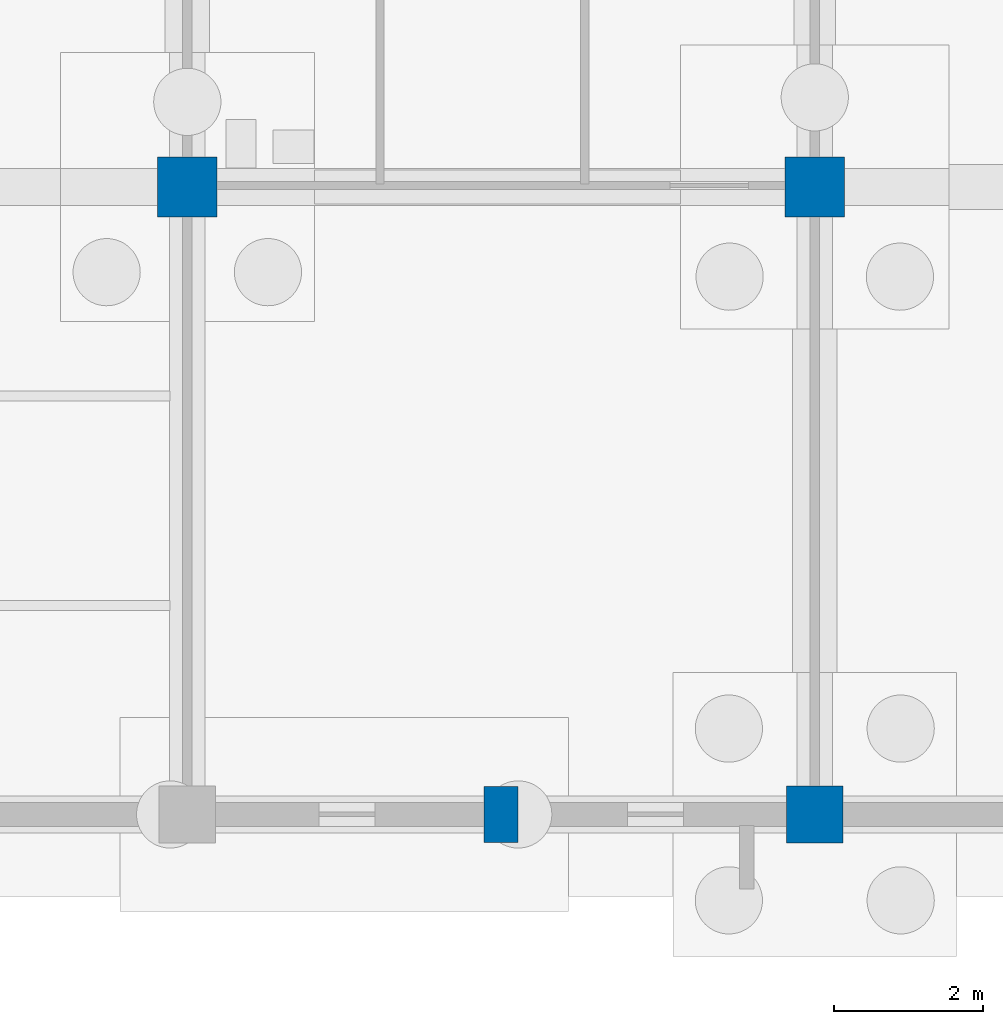
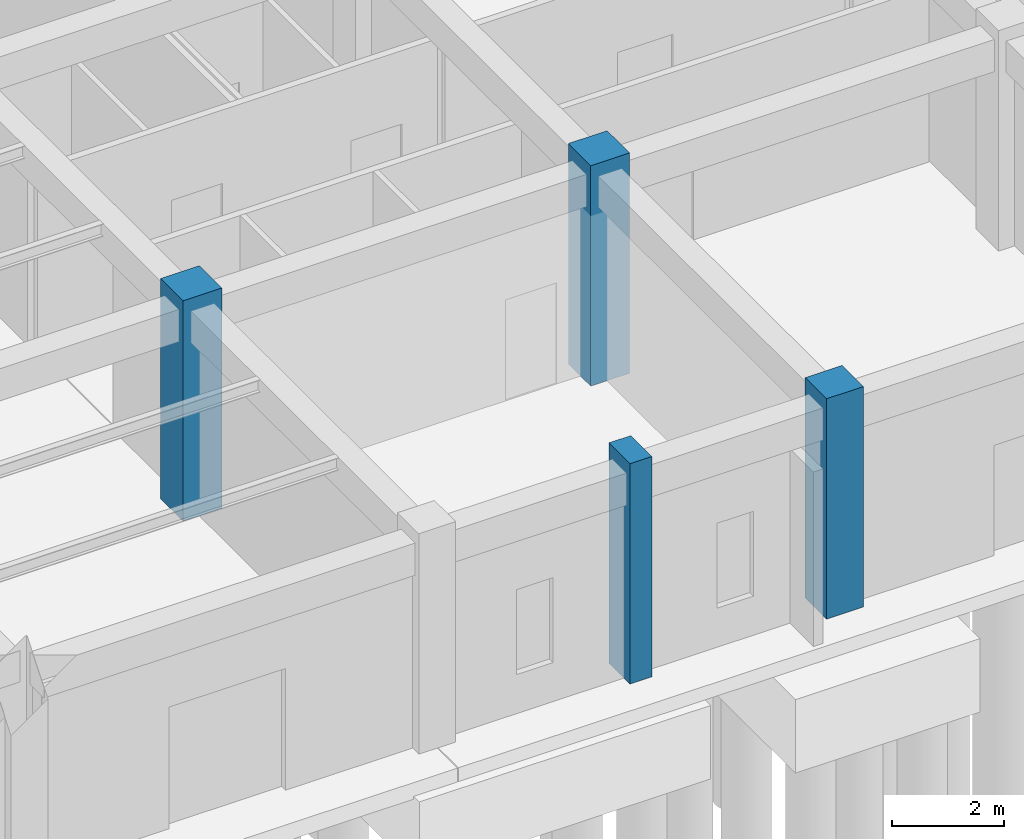
# One storey, part 17 of 192: 4 columns.
"""IFC4 building model written with IfcOpenShell, lengths in metres."""

from ifc_helpers import new_model, si_unit, direction, frame, origin, origin_2d, place, context, subcontext, project, spatial, rectangle, extrude, material, material_profile, profile_set, type_object, element, save


model = new_model("IFC4")

# Units and contexts
model_context = context("Model", 3, precision=1e-05, world=origin(), true_north=direction((0.0, 1.0)))
body_context = subcontext(model_context, "Body", "Model", "MODEL_VIEW")
ifc_project = project(units=[si_unit("LENGTHUNIT", "METRE"), si_unit("AREAUNIT", "SQUARE_METRE"), si_unit("VOLUMEUNIT", "CUBIC_METRE"), si_unit("PLANEANGLEUNIT", "RADIAN"), si_unit("MASSUNIT", "GRAM", prefix="KILO")], contexts=[model_context])

# Site, building, storey
site_placement = place(None, origin())
site = spatial("IfcSite", under=ifc_project, at=site_placement, CompositionType="ELEMENT")
building_placement = place(site_placement, origin())
building = spatial("IfcBuilding", under=site, at=building_placement, Name="Trelvath General Hospital", CompositionType="ELEMENT")
storey_placement = place(building_placement, origin())
storey = spatial("IfcBuildingStorey", under=building, at=storey_placement, Name="L00", CompositionType="ELEMENT", Elevation=0.0)

# Columns
ifc_material_1 = material(Name="Concrete C40/50", Category="concrete")
ifc_material_profile_1 = material_profile(ifc_material_1, rectangle(XDim=0.760009765625, YDim=0.760009765625, at=origin_2d()), Name="RC760x760")
ifc_profile_set_1 = profile_set([ifc_material_profile_1], Name="Concrete C40/50")
column_type_1 = type_object("IfcColumnType", Name="Column RC760", PredefinedType="COLUMN", material=ifc_profile_set_1)
column_1_placement = place(storey_placement, frame((25.199951171875, 0.0, 0.0), z_axis=(0.0, 0.0, 1.0), x_axis=(1.0, 0.0, 0.0)))
element("IfcColumn", 1, at=column_1_placement, inside=storey, type_object=column_type_1, Name="Column C-4A L00", PredefinedType="COLUMN", context=body_context, shape_type="SweptSolid", body=[
    extrude(rectangle(XDim=0.760009765625, YDim=0.760009765625, at=origin_2d()), origin(), (0.0, 0.0, 1.0), 4.800048828125),
])
ifc_material_2 = material(Name="Concrete C40/50", Category="concrete")
ifc_material_profile_2 = material_profile(ifc_material_2, rectangle(XDim=0.800048828125, YDim=0.800048828125, at=origin_2d()), Name="RC800x800")
ifc_profile_set_2 = profile_set([ifc_material_profile_2], Name="Concrete C40/50")
column_type_2 = type_object("IfcColumnType", Name="Column RC800", PredefinedType="COLUMN", material=ifc_profile_set_2)
for number, where, z_axis, x_axis, name in (
    (2, (16.800048828125, 8.39990234375, 0.0), (0.0, 0.0, 1.0), (1.0, 0.0, 0.0), "Column C-3B L00"),
    (3, (25.199951171875, 8.39990234375, 0.0), (0.0, 0.0, 1.0), (1.0, 0.0, 0.0), "Column C-4B L00"),
):
    element("IfcColumn", number, at=place(storey_placement, frame(where, z_axis=z_axis, x_axis=x_axis)), inside=storey, type_object=column_type_2, Name=name, PredefinedType="COLUMN", context=body_context, shape_type="SweptSolid", body=[
        extrude(rectangle(XDim=0.800048828125, YDim=0.800048828125, at=origin_2d()), origin(), (0.0, 0.0, 1.0), 4.800048828125),
    ])
ifc_material_3 = material(Name="Concrete C40/50", Category="concrete")
ifc_material_profile_3 = material_profile(ifc_material_3, rectangle(XDim=0.449951171875, YDim=0.75, at=origin_2d()), Name="RC450x750")
ifc_profile_set_3 = profile_set([ifc_material_profile_3], Name="Concrete C40/50")
column_type_3 = type_object("IfcColumnType", Name="Pilaster RC450x750", PredefinedType="PILASTER", material=ifc_profile_set_3)
column_2_placement = place(storey_placement, frame((21.0, 0.0, 0.0), z_axis=(0.0, 0.0, 1.0), x_axis=(1.0, 0.0, 0.0)))
element("IfcColumn", 4, at=column_2_placement, inside=storey, type_object=column_type_3, Name="Facade Pilaster PL-S02 L00", PredefinedType="PILASTER", context=body_context, shape_type="SweptSolid", body=[
    extrude(rectangle(XDim=0.449951171875, YDim=0.75, at=origin_2d()), origin(), (0.0, 0.0, 1.0), 4.800048828125),
])

save(model, "model.ifc")
